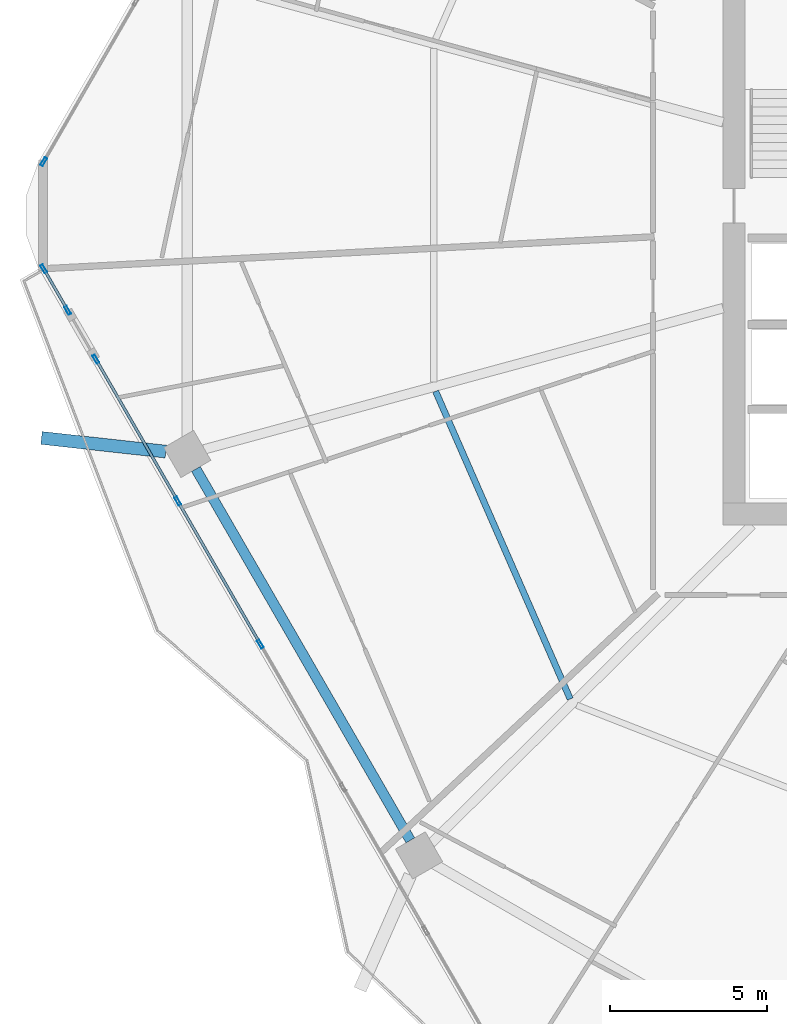
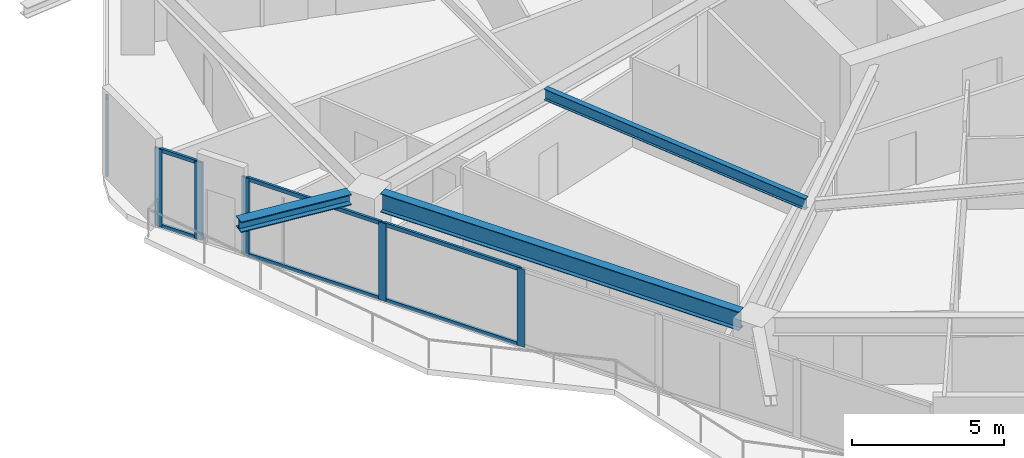
# One storey, part 4 of 29: 12 members, 3 beams, 3 elements without a shape of their own.
"""IFC4 building model written with IfcOpenShell, lengths in metres."""

import ifcopenshell
import ifcopenshell.guid

model = None  # the IFC model being written
_history = None  # IfcOwnerHistory: only IFC2X3 demands one
_inside = {}  # id of a spatial element -> (the spatial element, [elements in it])
_under = {}  # id of a project, library or spatial element -> (it, [spatial elements below it])
_declared = {}  # id of a project -> (the project, [libraries it declares])
_typed = {}  # id of a type object -> (the type object, [elements of that type])
_made_of = {}  # id of a material, layer set ... -> (it, [elements and type objects made of it])


def new_model(schema):
    """Start an empty IFC model of exactly this schema.

    Asked for "IFC4X3", IfcOpenShell would pick the latest addendum, in which some entities
    have other attributes; the version numbers below select the first issue.
    IFC2X3 requires an IfcOwnerHistory on every rooted entity: one is made here for all.
    """
    global model, _history
    if schema == "IFC4X3":
        model = ifcopenshell.file(schema_version=(4, 3, 0, 0))
    else:
        model = ifcopenshell.file(schema=schema)
    _inside.clear()
    _under.clear()
    _declared.clear()
    _typed.clear()
    _made_of.clear()
    _history = None
    if model.schema == "IFC2X3":
        org = make("IfcOrganization", Name="unknown")
        user = make(
            "IfcPersonAndOrganization",
            ThePerson=make("IfcPerson", FamilyName="unknown"),
            TheOrganization=org,
        )
        app = make(
            "IfcApplication",
            ApplicationDeveloper=org,
            Version="unknown",
            ApplicationFullName="unknown",
            ApplicationIdentifier="unknown",
        )
        _history = make(
            "IfcOwnerHistory",
            OwningUser=user,
            OwningApplication=app,
            ChangeAction="ADDED",
            CreationDate=0,
        )
    return model


def make(cls, **values):
    """One entity of the class cls with the attributes given. An attribute that is None is left unset."""
    return model.create_entity(
        cls, **{name: value for name, value in values.items() if value is not None}
    )


def rooted(cls, **values):
    """An entity with a GlobalId (a new one), such as an element, a storey or a relation."""
    return make(cls, GlobalId=ifcopenshell.guid.new(), OwnerHistory=_history, **values)


def si_unit(unit_type, name, prefix=None):
    """IfcSIUnit, for example si_unit("LENGTHUNIT", "METRE", prefix="MILLI")."""
    return make("IfcSIUnit", UnitType=unit_type, Prefix=prefix, Name=name)


def assignment(units):
    """IfcUnitAssignment: the units of a project."""
    return None if units is None else make("IfcUnitAssignment", Units=units)


def point(xyz):
    """IfcCartesianPoint."""
    return None if xyz is None else make("IfcCartesianPoint", Coordinates=xyz)


def direction(xyz):
    """IfcDirection."""
    return None if xyz is None else make("IfcDirection", DirectionRatios=xyz)


def frame(location, z_axis=None, x_axis=None):
    """IfcAxis2Placement3D, a coordinate frame: its origin and axes. An axis left out is left unset."""
    return make(
        "IfcAxis2Placement3D",
        Location=point(location),
        Axis=direction(z_axis),
        RefDirection=direction(x_axis),
    )


def frame_2d(location, x_axis=None):
    """IfcAxis2Placement2D, a coordinate frame in the plane: its origin and x axis."""
    return make(
        "IfcAxis2Placement2D", Location=point(location), RefDirection=direction(x_axis)
    )


def origin():
    """The frame at (0, 0, 0) with its axes left unset."""
    return frame((0.0, 0.0, 0.0))


def origin_2d():
    """The frame at (0, 0) in the plane with its x axis left unset."""
    return frame_2d((0.0, 0.0))


def place(relative_to, where):
    """IfcLocalPlacement: puts the frame where relative to a parent placement (None: the world)."""
    return make(
        "IfcLocalPlacement", PlacementRelTo=relative_to, RelativePlacement=where
    )


def context(
    kind, dimensions, precision=None, world=None, true_north=None, identifier=None
):
    """IfcGeometricRepresentationContext, for example the 3D "Model" context."""
    return make(
        "IfcGeometricRepresentationContext",
        ContextIdentifier=identifier,
        ContextType=kind,
        CoordinateSpaceDimension=dimensions,
        Precision=precision,
        WorldCoordinateSystem=world,
        TrueNorth=true_north,
    )


def subcontext(parent, identifier, kind, view, scale=None):
    """IfcGeometricRepresentationSubContext, for example "Body" below "Model"."""
    return make(
        "IfcGeometricRepresentationSubContext",
        ContextIdentifier=identifier,
        ContextType=kind,
        ParentContext=parent,
        TargetScale=scale,
        TargetView=view,
    )


def project(units=None, contexts=None):
    """IfcProject with its units and contexts."""
    return rooted(
        "IfcProject",
        Name="project",
        RepresentationContexts=contexts,
        UnitsInContext=assignment(units),
    )


def spatial(cls, under=None, at=None, **own):
    """A site, building, storey or space (cls), placed at a placement, below another one or the project."""
    s = rooted(cls, ObjectPlacement=at, **own)
    if under is not None:
        _under.setdefault(under.id(), (under, []))[1].append(s)
    return s


def profile(cls, at=None, kind="AREA", **sizes):
    """A parametric profile (cls). Its sizes go by their IFC names, for example OverallWidth=200.0."""
    return make(cls, ProfileType=kind, Position=at, **sizes)


def hollow_rectangle(**sizes):
    """IfcRectangleHollowProfileDef."""
    return profile("IfcRectangleHollowProfileDef", **sizes)


def i_section(**sizes):
    """IfcIShapeProfileDef."""
    return profile("IfcIShapeProfileDef", **sizes)


def extrude(swept, where, along, depth):
    """IfcExtrudedAreaSolid: the profile swept, set in the frame where, extruded along a direction by depth."""
    return make(
        "IfcExtrudedAreaSolid",
        SweptArea=swept,
        Position=where,
        ExtrudedDirection=direction(along),
        Depth=depth,
    )


def shape(context_of_items, identifier, shape_type, items):
    """IfcShapeRepresentation: the items that make up one representation, for example the "Body"."""
    return make(
        "IfcShapeRepresentation",
        ContextOfItems=context_of_items,
        RepresentationIdentifier=identifier,
        RepresentationType=shape_type,
        Items=items,
    )


def material(Name=None, Category=None):
    """IfcMaterial."""
    return make("IfcMaterial", Name=Name, Category=Category)


def material_profile(
    of_material, cross_section, Name=None, Category=None, Priority=None
):
    """IfcMaterialProfile: a cross section and its material."""
    return make(
        "IfcMaterialProfile",
        Name=Name,
        Material=of_material,
        Profile=cross_section,
        Priority=Priority,
        Category=Category,
    )


def profile_set(profiles, Name=None, composite=None):
    """IfcMaterialProfileSet."""
    return make(
        "IfcMaterialProfileSet",
        Name=Name,
        MaterialProfiles=profiles,
        CompositeProfile=composite,
    )


def made_of(thing, what):
    """Note that an element or type object is made of a material, layer set ...; save() writes the relation."""
    if what is not None:
        _made_of.setdefault(what.id(), (what, []))[1].append(thing)
    return thing


def type_object(cls, material=None, **own):
    """A type object (cls), such as IfcWallType, which elements share."""
    return made_of(rooted(cls, **own), material)


def element(
    cls,
    number,
    at=None,
    inside=None,
    cuts=None,
    type_object=None,
    material=None,
    context=None,
    identifier="Body",
    shape_type=None,
    held_by="IfcProductDefinitionShape",
    body=None,
    shapes=None,
    **own,
):
    """One element of the class cls, such as IfcWall. Its Tag is "e" and its number.

    at: its placement. inside: the storey or other place that contains it. cuts: it is an
    opening in that element (IfcRelVoidsElement). A single representation is given by context,
    identifier, shape_type and body (its items); several are given by shapes. held_by: the class
    of the entity that holds the representations. save() writes the other relations.
    """
    e = rooted(cls, Tag="e%d" % number, ObjectPlacement=at, **own)
    if body is not None:
        shapes = [shape(context, identifier, shape_type, body)]
    if shapes is not None:
        e.Representation = make(held_by, Representations=shapes)
    if inside is not None:
        _inside.setdefault(inside.id(), (inside, []))[1].append(e)
    if cuts is not None:
        rooted(
            "IfcRelVoidsElement", RelatingBuildingElement=cuts, RelatedOpeningElement=e
        )
    if type_object is not None:
        _typed.setdefault(type_object.id(), (type_object, []))[1].append(e)
    return made_of(e, material)


def aggregate(whole, parts):
    """IfcRelAggregates: a whole, such as a stair, and the parts it consists of."""
    return rooted("IfcRelAggregates", RelatingObject=whole, RelatedObjects=parts)


def save(model, path):
    """Write the relations noted so far, then the file.

    IfcRelAggregates (storeys below a building ...), IfcRelContainedInSpatialStructure (elements
    in a storey), IfcRelDefinesByType, IfcRelAssociatesMaterial and IfcRelDeclares: one each for
    every whole, place, type object, material and project.
    """
    for whole, parts in _under.values():
        aggregate(whole, parts)
    for where, things in _inside.values():
        rooted(
            "IfcRelContainedInSpatialStructure",
            RelatedElements=things,
            RelatingStructure=where,
        )
    for kind, things in _typed.values():
        rooted("IfcRelDefinesByType", RelatedObjects=things, RelatingType=kind)
    for what, things in _made_of.values():
        rooted("IfcRelAssociatesMaterial", RelatedObjects=things, RelatingMaterial=what)
    for by, libraries in _declared.values():
        rooted("IfcRelDeclares", RelatingContext=by, RelatedDefinitions=libraries)
    model.write(path)


model = new_model("IFC4")

# Units and contexts
model_context = context("Model", 3, precision=1e-05, world=origin(), true_north=direction((0.0, 1.0)))
body_context = subcontext(model_context, "Body", "Model", "MODEL_VIEW")
ifc_project = project(units=[si_unit("LENGTHUNIT", "METRE"), si_unit("AREAUNIT", "SQUARE_METRE"), si_unit("VOLUMEUNIT", "CUBIC_METRE"), si_unit("PLANEANGLEUNIT", "RADIAN"), si_unit("MASSUNIT", "GRAM", prefix="KILO")], contexts=[model_context])

# Site, building, storey
site_placement = place(None, origin())
site = spatial("IfcSite", under=ifc_project, at=site_placement, CompositionType="ELEMENT")
building_placement = place(site_placement, origin())
building = spatial("IfcBuilding", under=site, at=building_placement, Name="Zuhravey Tower", CompositionType="ELEMENT")
storey_placement = place(building_placement, frame((0.0, 0.0, 134.199951171875)))
storey = spatial("IfcBuildingStorey", under=building, at=storey_placement, Name="L33", CompositionType="ELEMENT", Elevation=134.199951171875)

# Curtain wall, members
ifc_material_1 = material(Name="Thermally broken anodised aluminium", Category="aluminium")
curtain_wall_type = type_object("IfcCurtainWallType", Name="Zone 1-2 Residential Curtain Wall CW3", PredefinedType="NOTDEFINED", material=ifc_material_1)
curtain_wall_1_placement = place(storey_placement, origin())
curtain_wall_1 = element("IfcCurtainWall", 1, at=curtain_wall_1_placement, inside=storey, type_object=curtain_wall_type, Name="L33 CW3 CW-L33-F4-1", PredefinedType="NOTDEFINED")
ifc_material_2 = material(Name="Anodised aluminium", Category="aluminium")
ifc_material_profile_1 = material_profile(ifc_material_2, hollow_rectangle(XDim=0.090087890625, YDim=0.284912109375, WallThickness=0.0048828125, at=origin_2d()), Name="ALU-RHS-90x285x5")
ifc_profile_set_1 = profile_set([ifc_material_profile_1], Name="Anodised aluminium")
member_type_1 = type_object("IfcMemberType", Name="Curtain-Wall Mullion 90x180", PredefinedType="MULLION", material=ifc_profile_set_1)
member_1_placement = place(storey_placement, frame((10.436767578125, 18.35986328125, 0.0), z_axis=(0.0, 0.0, 1.0), x_axis=(-0.866026411928, -0.499998253839, 0.0)))
member_1 = element("IfcMember", 2, at=member_1_placement, type_object=member_type_1, Name="CW3 mullion 4", PredefinedType="MULLION", context=body_context, shape_type="SweptSolid", body=[
    extrude(hollow_rectangle(XDim=0.090087890625, YDim=0.284912109375, WallThickness=0.0048828125, at=origin_2d()), origin(), (0.0, 0.0, 1.0), 3.1220703125),
])
member_2_placement = place(storey_placement, frame((7.808837890625, 22.91162109375, 0.0), z_axis=(0.0, 0.0, 1.0), x_axis=(-0.866026411928, -0.499998253839, 0.0)))
member_2 = element("IfcMember", 3, at=member_2_placement, type_object=member_type_1, Name="CW3 mullion 5", PredefinedType="MULLION", context=body_context, shape_type="SweptSolid", body=[
    extrude(hollow_rectangle(XDim=0.090087890625, YDim=0.284912109375, WallThickness=0.0048828125, at=origin_2d()), origin(), (0.0, 0.0, 1.0), 3.1220703125),
])
member_3_placement = place(storey_placement, frame((5.203369140625, 27.424560546875, 0.0), z_axis=(0.0, 0.0, 1.0), x_axis=(-0.866026411928, -0.499998253839, 0.0)))
member_3 = element("IfcMember", 4, at=member_3_placement, type_object=member_type_1, Name="CW3 mullion 6", PredefinedType="MULLION", context=body_context, shape_type="SweptSolid", body=[
    extrude(hollow_rectangle(XDim=0.090087890625, YDim=0.284912109375, WallThickness=0.0048828125, at=origin_2d()), origin(), (0.0, 0.0, 1.0), 3.1220703125),
])

curtain_wall_2_placement = place(storey_placement, origin())
curtain_wall_2 = element("IfcCurtainWall", 5, at=curtain_wall_2_placement, inside=storey, type_object=curtain_wall_type, Name="L33 CW3 CW-L33-F4-2", PredefinedType="NOTDEFINED")
member_4_placement = place(storey_placement, frame((4.308349609375, 28.974853515625, 0.0), z_axis=(0.0, 0.0, 1.0), x_axis=(-0.866017878691, -0.500013033618, 0.0)))
member_4 = element("IfcMember", 6, at=member_4_placement, type_object=member_type_1, Name="CW3 mullion 1", PredefinedType="MULLION", context=body_context, shape_type="SweptSolid", body=[
    extrude(hollow_rectangle(XDim=0.090087890625, YDim=0.284912109375, WallThickness=0.0048828125, at=origin_2d()), origin(), (0.0, 0.0, 1.0), 3.1220703125),
])
member_5_placement = place(storey_placement, frame((3.5439453125, 30.298583984375, 0.0), z_axis=(0.0, 0.0, 1.0), x_axis=(-0.866017878691, -0.500013033618, 0.0)))
member_5 = element("IfcMember", 7, at=member_5_placement, type_object=member_type_1, Name="CW3 mullion 2", PredefinedType="MULLION", context=body_context, shape_type="SweptSolid", body=[
    extrude(hollow_rectangle(XDim=0.090087890625, YDim=0.284912109375, WallThickness=0.0048828125, at=origin_2d()), origin(), (0.0, 0.0, 1.0), 3.1220703125),
])

# Curtain wall, member
curtain_wall_3_placement = place(storey_placement, origin())
curtain_wall_3 = element("IfcCurtainWall", 8, at=curtain_wall_3_placement, inside=storey, type_object=curtain_wall_type, Name="L33 CW3 CW-L33-F3-1", PredefinedType="NOTDEFINED")
member_6_placement = place(storey_placement, frame((3.5439453125, 33.701416015625, 0.0), z_axis=(0.0, 0.0, 1.0), x_axis=(-0.86602552265, 0.499999794119, 0.0)))
member_6 = element("IfcMember", 9, at=member_6_placement, type_object=member_type_1, Name="CW3 mullion 1", PredefinedType="MULLION", context=body_context, shape_type="SweptSolid", body=[
    extrude(hollow_rectangle(XDim=0.090087890625, YDim=0.284912109375, WallThickness=0.0048828125, at=origin_2d()), origin(), (0.0, 0.0, 1.0), 3.1220703125),
])
aggregate(curtain_wall_3, [member_6])

# Member
ifc_material_profile_2 = material_profile(ifc_material_2, hollow_rectangle(XDim=0.090087890625, YDim=0.14990234375, WallThickness=0.0048828125, at=origin_2d()), Name="ALU-RHS-90x150x5")
ifc_profile_set_2 = profile_set([ifc_material_profile_2], Name="Anodised aluminium")
member_type_2 = type_object("IfcMemberType", Name="Curtain-Wall Transom 90x150", PredefinedType="USERDEFINED", material=ifc_profile_set_2)
member_7_placement = place(storey_placement, frame((10.414306640625, 18.398681640625, 0.045166015625), z_axis=(-0.499981532947, 0.86603606548, 0.0), x_axis=(-0.86603606548, -0.499981532947, 0.0)))
member_7 = element("IfcMember", 10, at=member_7_placement, type_object=member_type_2, Name="CW3 transom 4.1", ObjectType="TRANSOM", PredefinedType="USERDEFINED", context=body_context, shape_type="SweptSolid", body=[
    extrude(hollow_rectangle(XDim=0.090087890625, YDim=0.14990234375, WallThickness=0.0048828125, at=origin_2d()), origin(), (0.0, 0.0, 1.0), 5.166259765625),
])

member_8_placement = place(storey_placement, frame((10.414306640625, 18.398681640625, 3.0771484375), z_axis=(-0.499981532947, 0.86603606548, 0.0), x_axis=(-0.86603606548, -0.499981532947, 0.0)))
member_8 = element("IfcMember", 11, at=member_8_placement, type_object=member_type_2, Name="CW3 transom 4.2", ObjectType="TRANSOM", PredefinedType="USERDEFINED", context=body_context, shape_type="SweptSolid", body=[
    extrude(hollow_rectangle(XDim=0.090087890625, YDim=0.14990234375, WallThickness=0.0048828125, at=origin_2d()), origin(), (0.0, 0.0, 1.0), 5.166259765625),
])

member_9_placement = place(storey_placement, frame((7.786376953125, 22.95068359375, 0.045166015625), z_axis=(-0.499994815902, 0.866028396804, 0.0), x_axis=(-0.866028396804, -0.499994815902, 0.0)))
member_9 = element("IfcMember", 12, at=member_9_placement, type_object=member_type_2, Name="CW3 transom 5.1", ObjectType="TRANSOM", PredefinedType="USERDEFINED", context=body_context, shape_type="SweptSolid", body=[
    extrude(hollow_rectangle(XDim=0.090087890625, YDim=0.14990234375, WallThickness=0.0048828125, at=origin_2d()), origin(), (0.0, 0.0, 1.0), 5.12109375),
])

member_10_placement = place(storey_placement, frame((7.786376953125, 22.95068359375, 3.0771484375), z_axis=(-0.499994815902, 0.866028396804, 0.0), x_axis=(-0.866028396804, -0.499994815902, 0.0)))
member_10 = element("IfcMember", 13, at=member_10_placement, type_object=member_type_2, Name="CW3 transom 5.2", ObjectType="TRANSOM", PredefinedType="USERDEFINED", context=body_context, shape_type="SweptSolid", body=[
    extrude(hollow_rectangle(XDim=0.090087890625, YDim=0.14990234375, WallThickness=0.0048828125, at=origin_2d()), origin(), (0.0, 0.0, 1.0), 5.12109375),
])

aggregate(curtain_wall_1, [member_1, member_2, member_3, member_7, member_8, member_9, member_10])

member_11_placement = place(storey_placement, frame((4.285888671875, 29.013671875, 0.045166015625), z_axis=(-0.50009947055, 0.865967966819, 0.0), x_axis=(-0.865967966819, -0.50009947055, 0.0)))
member_11 = element("IfcMember", 14, at=member_11_placement, type_object=member_type_2, Name="CW3 transom 1.1", ObjectType="TRANSOM", PredefinedType="USERDEFINED", context=body_context, shape_type="SweptSolid", body=[
    extrude(hollow_rectangle(XDim=0.090087890625, YDim=0.14990234375, WallThickness=0.0048828125, at=origin_2d()), origin(), (0.0, 0.0, 1.0), 1.438720703125),
])

member_12_placement = place(storey_placement, frame((4.285888671875, 29.013671875, 3.0771484375), z_axis=(-0.50009947055, 0.865967966819, 0.0), x_axis=(-0.865967966819, -0.50009947055, 0.0)))
member_12 = element("IfcMember", 15, at=member_12_placement, type_object=member_type_2, Name="CW3 transom 1.2", ObjectType="TRANSOM", PredefinedType="USERDEFINED", context=body_context, shape_type="SweptSolid", body=[
    extrude(hollow_rectangle(XDim=0.090087890625, YDim=0.14990234375, WallThickness=0.0048828125, at=origin_2d()), origin(), (0.0, 0.0, 1.0), 1.438720703125),
])

aggregate(curtain_wall_2, [member_4, member_5, member_11, member_12])

# Beams
ifc_material_3 = material(Name="Steel SM460", Category="steel")
ifc_material_profile_3 = material_profile(ifc_material_3, i_section(OverallWidth=0.406982421875, OverallDepth=0.427978515625, WebThickness=0.02001953125, FlangeThickness=0.034912109375, at=origin_2d()), Name="H-428x407x20x35")
ifc_profile_set_3 = profile_set([ifc_material_profile_3], Name="Steel SM460")
beam_type_1 = type_object("IfcBeamType", Name="Exoskeleton Node Tie Beam H428x407", PredefinedType="BEAM", material=ifc_profile_set_3)
beam_1_placement = place(storey_placement, frame((7.4287109375, 24.4833984375, 3.3359375), z_axis=(-0.994005957907, 0.109325914797, 0.0), x_axis=(-0.109325914797, -0.994005957907, 0.0)))
element("IfcBeam", 16, at=beam_1_placement, inside=storey, type_object=beam_type_1, Name="L33 Exoskeleton Node Tie NT1-07", PredefinedType="BEAM", context=body_context, shape_type="SweptSolid", body=[
    extrude(i_section(OverallWidth=0.406982421875, OverallDepth=0.427978515625, WebThickness=0.02001953125, FlangeThickness=0.034912109375, at=origin_2d()), origin(), (0.0, 0.0, 1.0), 3.97509765625),
])
ifc_material_4 = material(Name="Steel SM355", Category="steel")
ifc_material_profile_4 = material_profile(ifc_material_4, i_section(OverallWidth=0.320068359375, OverallDepth=0.75, WebThickness=0.013916015625, FlangeThickness=0.02490234375, at=origin_2d()), Name="H-750x320x14x25")
ifc_profile_set_4 = profile_set([ifc_material_profile_4], Name="Steel SM355")
beam_type_2 = type_object("IfcBeamType", Name="Perimeter Ring Beam H750x320", PredefinedType="BEAM", material=ifc_profile_set_4)
beam_2_placement = place(storey_placement, frame((8.387451171875, 23.929443359375, 3.175048828125), z_axis=(0.500008177929, -0.866020682204, 0.0), x_axis=(0.866020682204, 0.500008177929, 0.0)))
element("IfcBeam", 17, at=beam_2_placement, inside=storey, type_object=beam_type_2, Name="L33 PB1 BM-L33-PB-07", PredefinedType="BEAM", context=body_context, shape_type="SweptSolid", body=[
    extrude(i_section(OverallWidth=0.320068359375, OverallDepth=0.75, WebThickness=0.013916015625, FlangeThickness=0.02490234375, at=origin_2d()), origin(), (0.0, 0.0, 1.0), 13.634033203125),
])
ifc_material_profile_5 = material_profile(ifc_material_4, i_section(OverallWidth=0.199951171875, OverallDepth=0.449951171875, WebThickness=0.009033203125, FlangeThickness=0.013916015625, at=origin_2d()), Name="H-450x200x9x14")
ifc_profile_set_5 = profile_set([ifc_material_profile_5], Name="Steel SM355")
beam_type_3 = type_object("IfcBeamType", Name="Secondary Floor Joist H450x200", PredefinedType="JOIST", material=ifc_profile_set_5)
beam_3_placement = place(storey_placement, frame((16.00927734375, 26.400390625, 3.324951171875), z_axis=(0.400786454617, -0.916171500209, 0.0), x_axis=(0.916171500209, 0.400786454617, 0.0)))
element("IfcBeam", 18, at=beam_3_placement, inside=storey, type_object=beam_type_3, Name="L33 SJ1 BM-L33-SJ-07-1", PredefinedType="JOIST", context=body_context, shape_type="SweptSolid", body=[
    extrude(i_section(OverallWidth=0.199951171875, OverallDepth=0.449951171875, WebThickness=0.009033203125, FlangeThickness=0.013916015625, at=origin_2d()), origin(), (0.0, 0.0, 1.0), 10.6796875),
])

save(model, "model.ifc")
